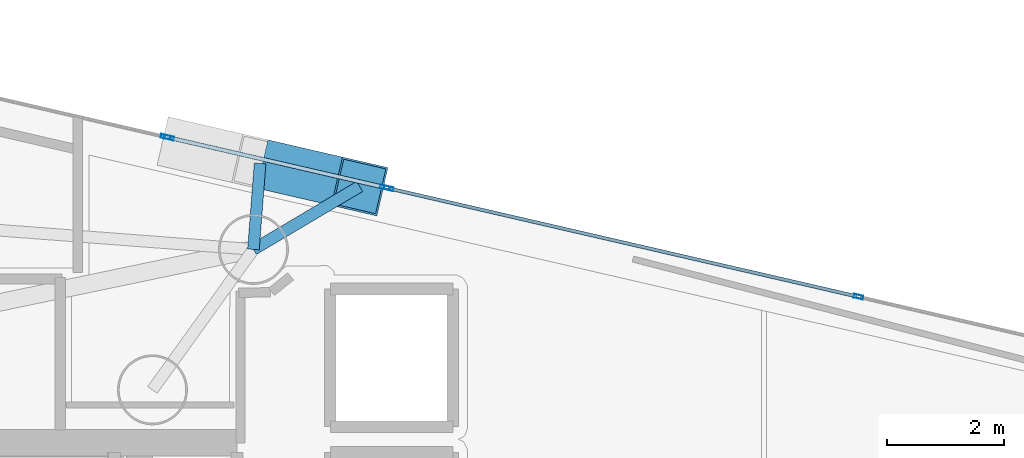
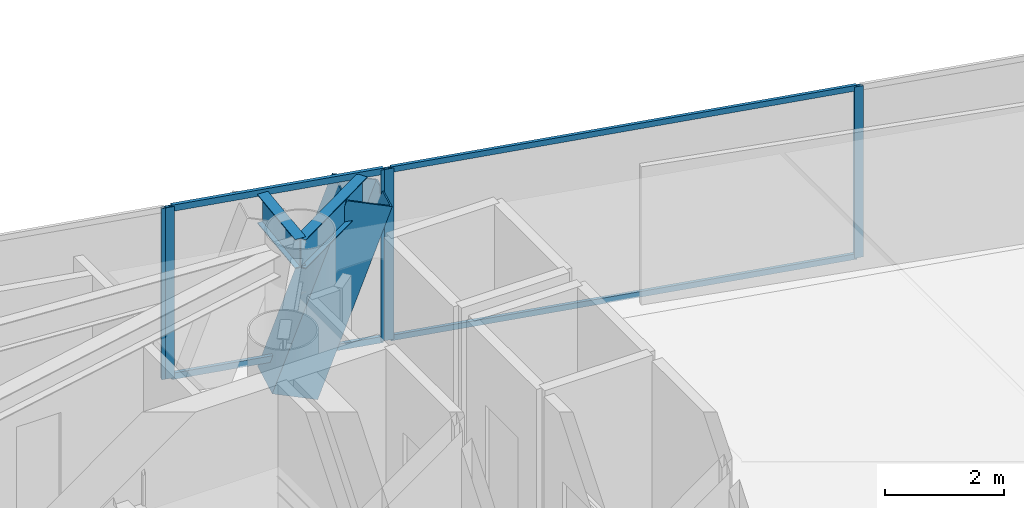
# One storey, part 13 of 22: 10 members, 2 beams, 3 elements without a shape of their own.
"""IFC4 building model written with IfcOpenShell, lengths in metres."""

from ifc_helpers import new_model, si_unit, direction, frame, origin, origin_2d, place, context, subcontext, project, spatial, hollow_rectangle, i_section, extrude, material, layer, layer_set, material_profile, profile_set, type_object, element, aggregate, save


model = new_model("IFC4")

# Units and contexts
model_context = context("Model", 3, precision=1e-05, world=origin(), true_north=direction((0.0, 1.0)))
body_context = subcontext(model_context, "Body", "Model", "MODEL_VIEW")
ifc_project = project(units=[si_unit("LENGTHUNIT", "METRE"), si_unit("AREAUNIT", "SQUARE_METRE"), si_unit("VOLUMEUNIT", "CUBIC_METRE"), si_unit("PLANEANGLEUNIT", "RADIAN"), si_unit("MASSUNIT", "GRAM", prefix="KILO")], contexts=[model_context])

# Site, building, storey
site_placement = place(None, origin())
site = spatial("IfcSite", under=ifc_project, at=site_placement, CompositionType="ELEMENT")
building_placement = place(site_placement, origin())
building = spatial("IfcBuilding", under=site, at=building_placement, Name="Qianvela Tower", CompositionType="ELEMENT")
storey_placement = place(building_placement, frame((0.0, 0.0, 200.300048828125)))
storey = spatial("IfcBuildingStorey", under=building, at=storey_placement, Name="L51", CompositionType="ELEMENT", Elevation=200.300048828125)

# Beams
ifc_material_1 = material(Name="Steel Q355B", Category="steel")
ifc_material_profile_1 = material_profile(ifc_material_1, i_section(OverallWidth=0.199951171875, OverallDepth=0.60009765625, WebThickness=0.010986328125, FlangeThickness=0.01708984375, at=origin_2d()), Name="HN600x200x11x17")
ifc_profile_set_1 = profile_set([ifc_material_profile_1], Name="Steel Q355B")
beam_type = type_object("IfcBeamType", Name="BM-HN600-GIRD", PredefinedType="BEAM", material=ifc_profile_set_1)
beam_1_placement = place(storey_placement, frame((40.131103515625, 35.9580078125, 3.218017578125), z_axis=(0.860237223138, 0.509894028135, 0.0), x_axis=(-0.509894028135, 0.860237223138, 0.0)))
element("IfcBeam", 1, at=beam_1_placement, inside=storey, type_object=beam_type, Name="L51 Mega-Brace Column Tie Bracket F1-1", PredefinedType="BEAM", context=body_context, shape_type="SweptSolid", body=[
    extrude(i_section(OverallWidth=0.199951171875, OverallDepth=0.60009765625, WebThickness=0.010986328125, FlangeThickness=0.01708984375, at=origin_2d()), origin(), (0.0, 0.0, 1.0), 2.11767578125),
])
beam_2_placement = place(storey_placement, frame((40.131103515625, 35.9580078125, 3.218017578125), z_axis=(0.077290052692, 0.997008649789, 0.0), x_axis=(-0.997008649789, 0.077290052692, 0.0)))
element("IfcBeam", 2, at=beam_2_placement, inside=storey, type_object=beam_type, Name="L51 Mega-Brace Column Tie Bracket F1-2", PredefinedType="BEAM", context=body_context, shape_type="SweptSolid", body=[
    extrude(i_section(OverallWidth=0.199951171875, OverallDepth=0.60009765625, WebThickness=0.010986328125, FlangeThickness=0.01708984375, at=origin_2d()), origin(), (0.0, 0.0, 1.0), 1.478271484375),
])

# Curtain wall, members
ifc_material_2 = material(Name="Anodised Architectural Aluminium and Insulated Spandrel Panel", Category="aluminium")
ifc_layer_1 = layer(ifc_material_2, 0.179931640625)
ifc_layer_set_1 = layer_set([ifc_layer_1], Name="Anodised Architectural Aluminium and Insulated Spandrel Panel")
curtain_wall_type_1 = type_object("IfcCurtainWallType", Name="CW-BRACEBAY", PredefinedType="USERDEFINED", material=ifc_layer_set_1)
curtain_wall_1_placement = place(storey_placement, origin())
curtain_wall_1 = element("IfcCurtainWall", 3, at=curtain_wall_1_placement, inside=storey, type_object=curtain_wall_type_1, Name="L51 CW-BRACEBAY Curtain Wall 02B", ObjectType="CURTAIN_WALL_SYSTEM", PredefinedType="USERDEFINED")
ifc_material_3 = material(Name="Anodised Architectural Aluminium 6063-T6", Category="aluminium")
ifc_material_profile_2 = material_profile(ifc_material_3, hollow_rectangle(XDim=0.06494140625, YDim=0.159912109375, WallThickness=0.0048828125, at=origin_2d()), Name="ALU-MULL-65x160")
ifc_profile_set_2 = profile_set([ifc_material_profile_2], Name="Anodised Architectural Aluminium 6063-T6")
member_type_1 = type_object("IfcMemberType", Name="CW-BRACEBAY-MULL", PredefinedType="MULLION", material=ifc_profile_set_2)
member_1_placement = place(storey_placement, frame((42.385498046875, 37.020263671875, 0.0), z_axis=(0.0, 0.0, 1.0), x_axis=(-0.22484247824, -0.974395125182, 0.0)))
member_1 = element("IfcMember", 4, at=member_1_placement, type_object=member_type_1, Name="CW-9 mullion 1", PredefinedType="MULLION", context=body_context, shape_type="SweptSolid", body=[
    extrude(hollow_rectangle(XDim=0.06494140625, YDim=0.159912109375, WallThickness=0.0048828125, at=origin_2d()), origin(), (0.0, 0.0, 1.0), 3.52001953125),
])
member_2_placement = place(storey_placement, frame((38.6875, 37.87353515625, 0.0), z_axis=(0.0, 0.0, 1.0), x_axis=(-0.22484247824, -0.974395125182, 0.0)))
member_2 = element("IfcMember", 5, at=member_2_placement, type_object=member_type_1, Name="CW-9 mullion 2", PredefinedType="MULLION", context=body_context, shape_type="SweptSolid", body=[
    extrude(hollow_rectangle(XDim=0.06494140625, YDim=0.159912109375, WallThickness=0.0048828125, at=origin_2d()), origin(), (0.0, 0.0, 1.0), 3.52001953125),
])
ifc_material_4 = material(Name="Anodised Architectural Aluminium 6063-T6", Category="aluminium")
ifc_material_profile_3 = material_profile(ifc_material_4, hollow_rectangle(XDim=0.06494140625, YDim=0.1298828125, WallThickness=0.00439453125, at=origin_2d()), Name="ALU-TRAN-65x130")
ifc_profile_set_3 = profile_set([ifc_material_profile_3], Name="Anodised Architectural Aluminium 6063-T6")
member_type_2 = type_object("IfcMemberType", Name="CW-BRACEBAY-TRAN", PredefinedType="USERDEFINED", material=ifc_profile_set_3)
member_3_placement = place(storey_placement, frame((42.353759765625, 37.027587890625, 0.032470703125), z_axis=(-0.974397814108, 0.224830824979, 0.0), x_axis=(-0.224830824979, -0.974397814108, 0.0)))
member_3 = element("IfcMember", 6, at=member_3_placement, type_object=member_type_2, Name="CW-9 transom 1.1", ObjectType="TRANSOM", PredefinedType="USERDEFINED", context=body_context, shape_type="SweptSolid", body=[
    extrude(hollow_rectangle(XDim=0.06494140625, YDim=0.1298828125, WallThickness=0.00439453125, at=origin_2d()), origin(), (0.0, 0.0, 1.0), 3.72998046875),
])
member_4_placement = place(storey_placement, frame((42.353759765625, 37.027587890625, 3.487548828125), z_axis=(-0.974397814108, 0.224830824979, 0.0), x_axis=(-0.224830824979, -0.974397814108, 0.0)))
member_4 = element("IfcMember", 7, at=member_4_placement, type_object=member_type_2, Name="CW-9 transom 1.2", ObjectType="TRANSOM", PredefinedType="USERDEFINED", context=body_context, shape_type="SweptSolid", body=[
    extrude(hollow_rectangle(XDim=0.06494140625, YDim=0.1298828125, WallThickness=0.00439453125, at=origin_2d()), origin(), (0.0, 0.0, 1.0), 3.72998046875),
])
aggregate(curtain_wall_1, [member_1, member_2, member_3, member_4])

ifc_material_5 = material(Name="Anodised Architectural Aluminium and Low-E Glass", Category="aluminium")
ifc_layer_2 = layer(ifc_material_5, 0.159912109375)
ifc_layer_set_2 = layer_set([ifc_layer_2], Name="Anodised Architectural Aluminium and Low-E Glass")
curtain_wall_type_2 = type_object("IfcCurtainWallType", Name="CW-COLIV-Z56", PredefinedType="USERDEFINED", material=ifc_layer_set_2)
curtain_wall_2_placement = place(storey_placement, origin())
curtain_wall_2 = element("IfcCurtainWall", 8, at=curtain_wall_2_placement, inside=storey, type_object=curtain_wall_type_2, Name="L51 CW-COLIV-Z56 Curtain Wall 02A", ObjectType="CURTAIN_WALL_SYSTEM", PredefinedType="USERDEFINED")
ifc_material_6 = material(Name="Anodised Architectural Aluminium 6063-T6", Category="aluminium")
ifc_material_profile_4 = material_profile(ifc_material_6, hollow_rectangle(XDim=0.06494140625, YDim=0.159912109375, WallThickness=0.0048828125, at=origin_2d()), Name="ALU-MULL-65x160")
ifc_profile_set_4 = profile_set([ifc_material_profile_4], Name="Anodised Architectural Aluminium 6063-T6")
member_type_3 = type_object("IfcMemberType", Name="CW-COLIV-Z56-MULL", PredefinedType="MULLION", material=ifc_profile_set_4)
member_5_placement = place(storey_placement, frame((50.504638671875, 35.146728515625, 0.0), z_axis=(0.0, 0.0, 1.0), x_axis=(-0.224831349031, -0.974397693189, 0.0)))
member_5 = element("IfcMember", 9, at=member_5_placement, type_object=member_type_3, Name="CW-5 mullion 2", PredefinedType="MULLION", context=body_context, shape_type="SweptSolid", body=[
    extrude(hollow_rectangle(XDim=0.06494140625, YDim=0.159912109375, WallThickness=0.0048828125, at=origin_2d()), origin(), (0.0, 0.0, 1.0), 3.52001953125),
])
member_6_placement = place(storey_placement, frame((42.44873046875, 37.005615234375, 0.0), z_axis=(0.0, 0.0, 1.0), x_axis=(-0.224831349031, -0.974397693189, 0.0)))
member_6 = element("IfcMember", 10, at=member_6_placement, type_object=member_type_3, Name="CW-5 mullion 3", PredefinedType="MULLION", context=body_context, shape_type="SweptSolid", body=[
    extrude(hollow_rectangle(XDim=0.06494140625, YDim=0.159912109375, WallThickness=0.0048828125, at=origin_2d()), origin(), (0.0, 0.0, 1.0), 3.52001953125),
])

# Curtain wall, member
curtain_wall_3_placement = place(storey_placement, origin())
curtain_wall_3 = element("IfcCurtainWall", 11, at=curtain_wall_3_placement, inside=storey, type_object=curtain_wall_type_2, Name="L51 CW-COLIV-Z56 Curtain Wall 02C", ObjectType="CURTAIN_WALL_SYSTEM", PredefinedType="USERDEFINED")
member_7_placement = place(storey_placement, frame((38.624267578125, 37.88818359375, 0.0), z_axis=(0.0, 0.0, 1.0), x_axis=(-0.224830507229, -0.974397887425, 0.0)))
member_7 = element("IfcMember", 12, at=member_7_placement, type_object=member_type_3, Name="CW-5 mullion 1", PredefinedType="MULLION", context=body_context, shape_type="SweptSolid", body=[
    extrude(hollow_rectangle(XDim=0.06494140625, YDim=0.159912109375, WallThickness=0.0048828125, at=origin_2d()), origin(), (0.0, 0.0, 1.0), 3.52001953125),
])
aggregate(curtain_wall_3, [member_7])

# Member
ifc_material_7 = material(Name="Anodised Architectural Aluminium 6063-T6", Category="aluminium")
ifc_material_profile_5 = material_profile(ifc_material_7, hollow_rectangle(XDim=0.06005859375, YDim=0.114990234375, WallThickness=0.00390625, at=origin_2d()), Name="ALU-TRAN-60x115")
ifc_profile_set_5 = profile_set([ifc_material_profile_5], Name="Anodised Architectural Aluminium 6063-T6")
member_type_4 = type_object("IfcMemberType", Name="CW-COLIV-Z56-TRAN", PredefinedType="USERDEFINED", material=ifc_profile_set_5)
member_8_placement = place(storey_placement, frame((50.472900390625, 35.154052734375, 0.030029296875), z_axis=(-0.974395710316, 0.224839942442, 0.0), x_axis=(-0.224839942442, -0.974395710316, 0.0)))
member_8 = element("IfcMember", 13, at=member_8_placement, type_object=member_type_4, Name="CW-5 transom 2.1", ObjectType="TRANSOM", PredefinedType="USERDEFINED", context=body_context, shape_type="SweptSolid", body=[
    extrude(hollow_rectangle(XDim=0.06005859375, YDim=0.114990234375, WallThickness=0.00390625, at=origin_2d()), origin(), (0.0, 0.0, 1.0), 8.202392578125),
])

member_9_placement = place(storey_placement, frame((50.472900390625, 35.154052734375, 3.489990234375), z_axis=(-0.974395710316, 0.224839942442, 0.0), x_axis=(-0.224839942442, -0.974395710316, 0.0)))
member_9 = element("IfcMember", 14, at=member_9_placement, type_object=member_type_4, Name="CW-5 transom 2.2", ObjectType="TRANSOM", PredefinedType="USERDEFINED", context=body_context, shape_type="SweptSolid", body=[
    extrude(hollow_rectangle(XDim=0.06005859375, YDim=0.114990234375, WallThickness=0.00390625, at=origin_2d()), origin(), (0.0, 0.0, 1.0), 8.202392578125),
])

aggregate(curtain_wall_2, [member_5, member_6, member_8, member_9])

ifc_material_8 = material(Name="Steel Q420GJC", Category="steel")
ifc_material_profile_6 = material_profile(ifc_material_8, hollow_rectangle(XDim=0.85009765625, YDim=0.85009765625, WallThickness=0.031982421875, at=origin_2d()), Name="MBOX-850x850x32")
ifc_profile_set_6 = profile_set([ifc_material_profile_6], Name="Steel Q420GJC")
member_type_5 = type_object("IfcMemberType", Name="MBR-MBRACE-850", PredefinedType="BRACE", material=ifc_profile_set_6)
member_10_placement = place(storey_placement, frame((40.674072265625, 37.3330078125, -0.48193359375), z_axis=(0.325742520767, -0.075185702101, 0.942464280683), x_axis=(0.224900264071, 0.974381789249, 0.0)))
element("IfcMember", 15, at=member_10_placement, inside=storey, type_object=member_type_5, Name="L51 Tier 8 Exterior Mega-Brace F1A", PredefinedType="BRACE", context=body_context, shape_type="SweptSolid", body=[
    extrude(hollow_rectangle(XDim=0.85009765625, YDim=0.85009765625, WallThickness=0.031982421875, at=origin_2d()), origin(), (0.0, 0.0, 1.0), 3.92578125),
])

save(model, "model.ifc")
